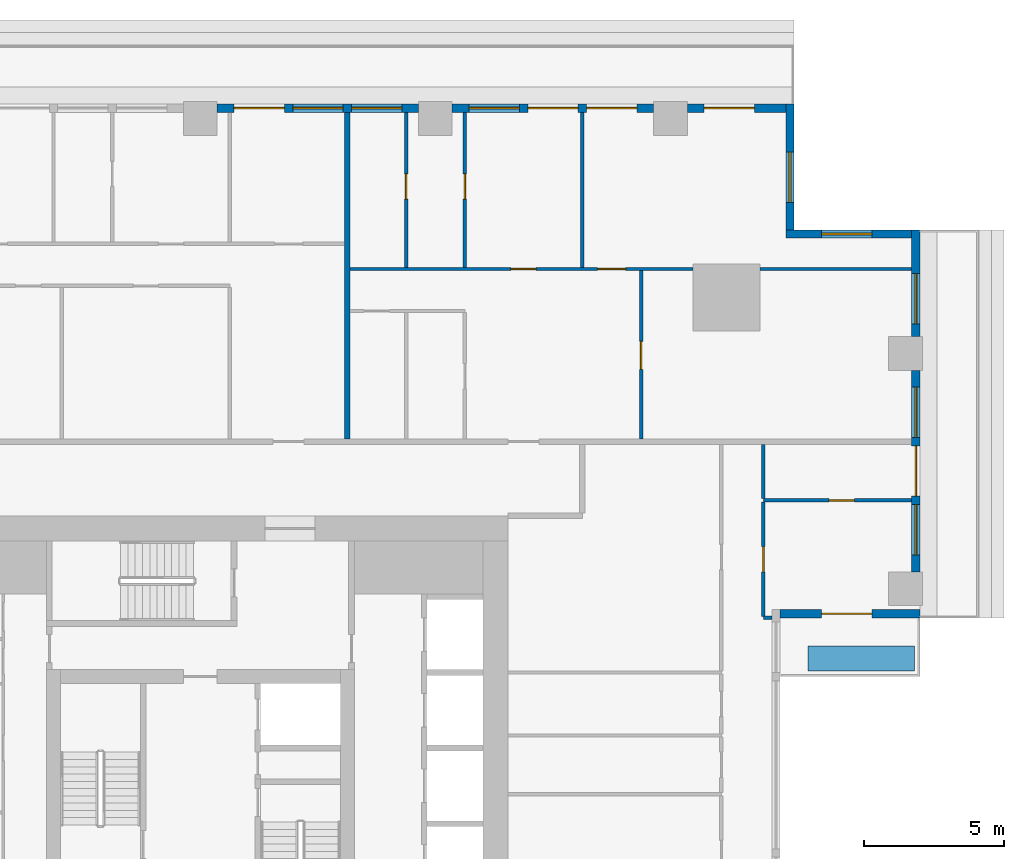
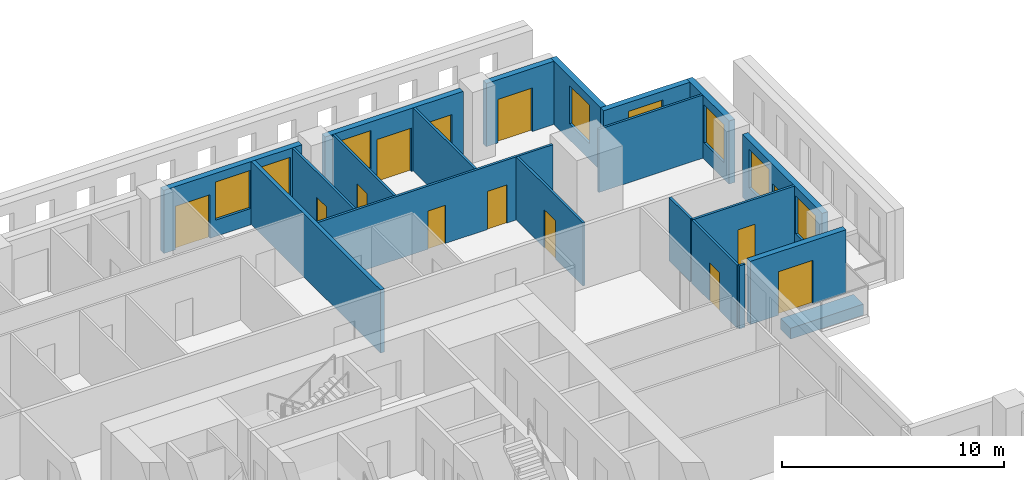
# One storey, part 9 of 16: 20 walls, 13 doors, 8 windows, 21 openings.
"""IFC4 building model written with IfcOpenShell, lengths in metres."""

from ifc_helpers import new_model, si_unit, direction, frame, frame_2d, origin, place, context, subcontext, project, spatial, rectangle, extrude, material, layer, layer_set, type_object, element, fill, save


model = new_model("IFC4")

# Units and contexts
model_context = context("Model", 3, precision=1e-05, world=origin(), true_north=direction((0.0, 1.0)))
body_context = subcontext(model_context, "Body", "Model", "MODEL_VIEW")
ifc_project = project(units=[si_unit("LENGTHUNIT", "METRE"), si_unit("AREAUNIT", "SQUARE_METRE"), si_unit("VOLUMEUNIT", "CUBIC_METRE"), si_unit("PLANEANGLEUNIT", "RADIAN"), si_unit("MASSUNIT", "GRAM", prefix="KILO")], contexts=[model_context])

# Site, building, storey
site_placement = place(None, origin())
site = spatial("IfcSite", under=ifc_project, at=site_placement, CompositionType="ELEMENT")
building_placement = place(site_placement, origin())
building = spatial("IfcBuilding", under=site, at=building_placement, Name="Khepri Terraces", CompositionType="ELEMENT")
storey_placement = place(building_placement, frame((0.0, 0.0, 204.0)))
storey = spatial("IfcBuildingStorey", under=building, at=storey_placement, Name="L48", CompositionType="ELEMENT", Elevation=204.0)

# Wall
ifc_material_1 = material(Name="Fire-rated gypsum plasterboard partition, mineral wool")
ifc_layer_1 = layer(ifc_material_1, 0.199951171875, Name="Fire-rated gypsum plasterboard partition, mineral wool")
ifc_layer_set_1 = layer_set([ifc_layer_1], Name="Fire-rated gypsum plasterboard partition, mineral wool")
wall_type_1 = type_object("IfcWallType", Name="WL-CORR-200", PredefinedType="PARTITIONING", material=ifc_layer_set_1)
wall_1_placement = place(storey_placement, frame((5.25, 13.75, 0.0), z_axis=(0.0, 0.0, 1.0), x_axis=(0.0, 1.0, 0.0)))
element("IfcWall", 1, at=wall_1_placement, inside=storey, type_object=wall_type_1, Name="Partition P-083 L48", PredefinedType="PARTITIONING", context=body_context, shape_type="SweptSolid", body=[
    extrude(rectangle(XDim=11.669921875, YDim=0.199951171875, at=frame_2d((5.8349609375, 0.0))), origin(), (0.0, 0.0, 1.0), 3.47998046875),
])

# Wall, opening, door
ifc_material_2 = material(Name="Precast concrete C50/60 warm stone", Category="masonry")
ifc_layer_2 = layer(ifc_material_2, 0.300048828125, Name="Precast concrete C50/60 warm stone", Category="masonry")
ifc_layer_set_2 = layer_set([ifc_layer_2], Name="Precast concrete C50/60 warm stone")
wall_type_2 = type_object("IfcWallType", Name="WL-EXT-PRECAST-300", PredefinedType="STANDARD", material=ifc_layer_set_2)
wall_2_placement = place(storey_placement, frame((20.719970703125, 7.5, 0.0), z_axis=(0.0, 0.0, 1.0), x_axis=(1.0, 0.0, 0.0)))
wall_2 = element("IfcWall", 2, at=wall_2_placement, inside=storey, type_object=wall_type_2, Name="External wall L48 S", PredefinedType="STANDARD", context=body_context, shape_type="SweptSolid", body=[
    extrude(rectangle(XDim=5.0, YDim=0.300048828125, at=frame_2d((2.5, 0.0))), origin(), (0.0, 0.0, 1.0), 3.47998046875),
])
opening_1_placement = place(wall_2_placement, frame((1.47998046875, 0.0, 0.0)))
opening_1 = element("IfcOpeningElement", 3, at=opening_1_placement, cuts=wall_2, Name="Opening ED-L48-05", PredefinedType="OPENING", context=body_context, shape_type="SweptSolid", body=[
    extrude(rectangle(XDim=1.800048828125, YDim=2.39990234375, at=frame_2d((0.89990234375, 1.199951171875))), frame((0.0, 0.16015625, 0.0), z_axis=(0.0, -1.0, 0.0), x_axis=(1.0, 0.0, 0.0)), (0.0, 0.0, 1.0), 0.320068359375),
])
ifc_material_3 = material(Name="Anodised aluminium bronze glazed door", Category="aluminium")
door_type_1 = type_object("IfcDoorType", Name="DR-BAL-SLIDE-1800x2400", OperationType="NOTDEFINED", PredefinedType="DOOR", material=ifc_material_3)
door_1_placement = place(opening_1_placement, origin())
door_1 = element("IfcDoor", 4, at=door_1_placement, inside=storey, type_object=door_type_1, Name="Balcony door L48 S", OperationType="SLIDING_TO_RIGHT", OverallHeight=2.39990234375, OverallWidth=1.800048828125, PredefinedType="DOOR", context=body_context, shape_type="SweptSolid", body=[
    extrude(rectangle(XDim=1.800048828125, YDim=2.39990234375, at=frame_2d((0.89990234375, 1.199951171875))), frame((0.0, 0.02490234375, 0.0), z_axis=(0.0, -1.0, 0.0), x_axis=(1.0, 0.0, 0.0)), (0.0, 0.0, 1.0), 0.050048828125),
])
fill(opening_1, door_1)

# Wall, openings, door, windows
wall_3_placement = place(storey_placement, frame((25.570068359375, 9.0, 0.0), z_axis=(0.0, 0.0, 1.0), x_axis=(0.0, 1.0, 0.0)))
wall_3 = element("IfcWall", 5, at=wall_3_placement, inside=storey, type_object=wall_type_2, Name="External wall L48 E", PredefinedType="STANDARD", context=body_context, shape_type="SweptSolid", body=[
    extrude(rectangle(XDim=7.199951171875, YDim=0.300048828125, at=frame_2d((3.60009765625, 0.0))), origin(), (0.0, 0.0, 1.0), 3.47998046875),
])
opening_2_placement = place(wall_3_placement, frame((0.60009765625, 0.0, 0.89990234375)))
opening_2 = element("IfcOpeningElement", 6, at=opening_2_placement, cuts=wall_3, Name="Opening W1", PredefinedType="OPENING", context=body_context, shape_type="SweptSolid", body=[
    extrude(rectangle(XDim=1.800048828125, YDim=2.10009765625, at=frame_2d((0.89990234375, 1.050048828125))), frame((0.0, 0.16015625, 0.0), z_axis=(0.0, -1.0, 0.0), x_axis=(1.0, 0.0, 0.0)), (0.0, 0.0, 1.0), 0.320068359375),
])
opening_3_placement = place(wall_3_placement, frame((2.699951171875, 0.0, 0.0)))
opening_3 = element("IfcOpeningElement", 7, at=opening_3_placement, cuts=wall_3, Name="Opening ED-L48-06", PredefinedType="OPENING", context=body_context, shape_type="SweptSolid", body=[
    extrude(rectangle(XDim=1.800048828125, YDim=2.39990234375, at=frame_2d((0.89990234375, 1.199951171875))), frame((0.0, 0.16015625, 0.0), z_axis=(0.0, -1.0, 0.0), x_axis=(1.0, 0.0, 0.0)), (0.0, 0.0, 1.0), 0.320068359375),
])
opening_4_placement = place(wall_3_placement, frame((4.800048828125, 0.0, 0.89990234375)))
opening_4 = element("IfcOpeningElement", 8, at=opening_4_placement, cuts=wall_3, Name="Opening W1", PredefinedType="OPENING", context=body_context, shape_type="SweptSolid", body=[
    extrude(rectangle(XDim=1.800048828125, YDim=2.10009765625, at=frame_2d((0.89990234375, 1.050048828125))), frame((0.0, 0.16015625, 0.0), z_axis=(0.0, -1.0, 0.0), x_axis=(1.0, 0.0, 0.0)), (0.0, 0.0, 1.0), 0.320068359375),
])
door_2_placement = place(opening_3_placement, origin())
door_2 = element("IfcDoor", 9, at=door_2_placement, inside=storey, type_object=door_type_1, Name="Balcony door L48 E", OperationType="SLIDING_TO_RIGHT", OverallHeight=2.39990234375, OverallWidth=1.800048828125, PredefinedType="DOOR", context=body_context, shape_type="SweptSolid", body=[
    extrude(rectangle(XDim=1.800048828125, YDim=2.39990234375, at=frame_2d((0.89990234375, 1.199951171875))), frame((0.0, 0.02490234375, 0.0), z_axis=(0.0, -1.0, 0.0), x_axis=(1.0, 0.0, 0.0)), (0.0, 0.0, 1.0), 0.050048828125),
])
fill(opening_3, door_2)
ifc_material_4 = material(Name="Clear glass", Category="glass")
window_type = type_object("IfcWindowType", Name="WIN-RES-1800x2100", PartitioningType="SINGLE_PANEL", PredefinedType="WINDOW", material=ifc_material_4)
window_1_placement = place(opening_2_placement, origin())
window_1 = element("IfcWindow", 10, at=window_1_placement, inside=storey, type_object=window_type, Name="Window L48 E", OverallHeight=2.10009765625, OverallWidth=1.800048828125, PartitioningType="SINGLE_PANEL", PredefinedType="WINDOW", context=body_context, shape_type="SweptSolid", body=[
    extrude(rectangle(XDim=1.800048828125, YDim=2.10009765625, at=frame_2d((0.89990234375, 1.050048828125))), frame((0.0, 0.030029296875, 0.0), z_axis=(0.0, -1.0, 0.0), x_axis=(1.0, 0.0, 0.0)), (0.0, 0.0, 1.0), 0.06005859375),
])
fill(opening_2, window_1)
window_2_placement = place(opening_4_placement, origin())
window_2 = element("IfcWindow", 11, at=window_2_placement, inside=storey, type_object=window_type, Name="Window L48 E", OverallHeight=2.10009765625, OverallWidth=1.800048828125, PartitioningType="SINGLE_PANEL", PredefinedType="WINDOW", context=body_context, shape_type="SweptSolid", body=[
    extrude(rectangle(XDim=1.800048828125, YDim=2.10009765625, at=frame_2d((0.89990234375, 1.050048828125))), frame((0.0, 0.030029296875, 0.0), z_axis=(0.0, -1.0, 0.0), x_axis=(1.0, 0.0, 0.0)), (0.0, 0.0, 1.0), 0.06005859375),
])
fill(opening_4, window_2)

# Wall, opening, window
wall_4_placement = place(storey_placement, frame((25.570068359375, 17.39990234375, 0.0), z_axis=(0.0, 0.0, 1.0), x_axis=(0.0, 1.0, 0.0)))
wall_4 = element("IfcWall", 12, at=wall_4_placement, inside=storey, type_object=wall_type_2, Name="External wall L48 E", PredefinedType="STANDARD", context=body_context, shape_type="SweptSolid", body=[
    extrude(rectangle(XDim=3.820068359375, YDim=0.300048828125, at=frame_2d((1.91015625, 0.0))), origin(), (0.0, 0.0, 1.0), 3.47998046875),
])
opening_5_placement = place(wall_4_placement, frame((0.4599609375, 0.0, 0.89990234375)))
opening_5 = element("IfcOpeningElement", 13, at=opening_5_placement, cuts=wall_4, Name="Opening W1", PredefinedType="OPENING", context=body_context, shape_type="SweptSolid", body=[
    extrude(rectangle(XDim=1.800048828125, YDim=2.10009765625, at=frame_2d((0.89990234375, 1.050048828125))), frame((0.0, 0.16015625, 0.0), z_axis=(0.0, -1.0, 0.0), x_axis=(1.0, 0.0, 0.0)), (0.0, 0.0, 1.0), 0.320068359375),
])
window_3_placement = place(opening_5_placement, origin())
window_3 = element("IfcWindow", 14, at=window_3_placement, inside=storey, type_object=window_type, Name="Window L48 E", OverallHeight=2.10009765625, OverallWidth=1.800048828125, PartitioningType="SINGLE_PANEL", PredefinedType="WINDOW", context=body_context, shape_type="SweptSolid", body=[
    extrude(rectangle(XDim=1.800048828125, YDim=2.10009765625, at=frame_2d((0.89990234375, 1.050048828125))), frame((0.0, 0.030029296875, 0.0), z_axis=(0.0, -1.0, 0.0), x_axis=(1.0, 0.0, 0.0)), (0.0, 0.0, 1.0), 0.06005859375),
])
fill(opening_5, window_3)

wall_5_placement = place(storey_placement, frame((25.419921875, 21.070068359375, 0.0), z_axis=(0.0, 0.0, 1.0), x_axis=(-1.0, 0.0, 0.0)))
wall_5 = element("IfcWall", 15, at=wall_5_placement, inside=storey, type_object=wall_type_2, Name="External wall L48 N", PredefinedType="STANDARD", context=body_context, shape_type="SweptSolid", body=[
    extrude(rectangle(XDim=4.5, YDim=0.300048828125, at=frame_2d((2.25, 0.0))), origin(), (0.0, 0.0, 1.0), 3.47998046875),
])
opening_6_placement = place(wall_5_placement, frame((1.419921875, 0.0, 0.89990234375)))
opening_6 = element("IfcOpeningElement", 16, at=opening_6_placement, cuts=wall_5, Name="Opening W1", PredefinedType="OPENING", context=body_context, shape_type="SweptSolid", body=[
    extrude(rectangle(XDim=1.800048828125, YDim=2.10009765625, at=frame_2d((0.89990234375, 1.050048828125))), frame((0.0, 0.16015625, 0.0), z_axis=(0.0, -1.0, 0.0), x_axis=(1.0, 0.0, 0.0)), (0.0, 0.0, 1.0), 0.320068359375),
])
window_4_placement = place(opening_6_placement, origin())
window_4 = element("IfcWindow", 17, at=window_4_placement, inside=storey, type_object=window_type, Name="Window L48 N", OverallHeight=2.10009765625, OverallWidth=1.800048828125, PartitioningType="SINGLE_PANEL", PredefinedType="WINDOW", context=body_context, shape_type="SweptSolid", body=[
    extrude(rectangle(XDim=1.800048828125, YDim=2.10009765625, at=frame_2d((0.89990234375, 1.050048828125))), frame((0.0, 0.030029296875, 0.0), z_axis=(0.0, -1.0, 0.0), x_axis=(1.0, 0.0, 0.0)), (0.0, 0.0, 1.0), 0.06005859375),
])
fill(opening_6, window_4)

wall_6_placement = place(storey_placement, frame((21.070068359375, 21.219970703125, 0.0), z_axis=(0.0, 0.0, 1.0), x_axis=(0.0, 1.0, 0.0)))
wall_6 = element("IfcWall", 18, at=wall_6_placement, inside=storey, type_object=wall_type_2, Name="External wall L48 E", PredefinedType="STANDARD", context=body_context, shape_type="SweptSolid", body=[
    extrude(rectangle(XDim=4.5, YDim=0.300048828125, at=frame_2d((2.25, 0.0))), origin(), (0.0, 0.0, 1.0), 3.47998046875),
])
opening_7_placement = place(wall_6_placement, frame((0.97998046875, 0.0, 0.89990234375)))
opening_7 = element("IfcOpeningElement", 19, at=opening_7_placement, cuts=wall_6, Name="Opening W1", PredefinedType="OPENING", context=body_context, shape_type="SweptSolid", body=[
    extrude(rectangle(XDim=1.800048828125, YDim=2.10009765625, at=frame_2d((0.89990234375, 1.050048828125))), frame((0.0, 0.16015625, 0.0), z_axis=(0.0, -1.0, 0.0), x_axis=(1.0, 0.0, 0.0)), (0.0, 0.0, 1.0), 0.320068359375),
])
window_5_placement = place(opening_7_placement, origin())
window_5 = element("IfcWindow", 20, at=window_5_placement, inside=storey, type_object=window_type, Name="Window L48 E", OverallHeight=2.10009765625, OverallWidth=1.800048828125, PartitioningType="SINGLE_PANEL", PredefinedType="WINDOW", context=body_context, shape_type="SweptSolid", body=[
    extrude(rectangle(XDim=1.800048828125, YDim=2.10009765625, at=frame_2d((0.89990234375, 1.050048828125))), frame((0.0, 0.030029296875, 0.0), z_axis=(0.0, -1.0, 0.0), x_axis=(1.0, 0.0, 0.0)), (0.0, 0.0, 1.0), 0.06005859375),
])
fill(opening_7, window_5)

# Wall, opening, door
wall_7_placement = place(storey_placement, frame((20.919921875, 25.570068359375, 0.0), z_axis=(0.0, 0.0, 1.0), x_axis=(-1.0, 0.0, 0.0)))
wall_7 = element("IfcWall", 21, at=wall_7_placement, inside=storey, type_object=wall_type_2, Name="External wall L48 N", PredefinedType="STANDARD", context=body_context, shape_type="SweptSolid", body=[
    extrude(rectangle(XDim=3.52001953125, YDim=0.300048828125, at=frame_2d((1.760009765625, 0.0))), origin(), (0.0, 0.0, 1.0), 3.47998046875),
])
opening_8_placement = place(wall_7_placement, frame((1.1201171875, 0.0, 0.0)))
opening_8 = element("IfcOpeningElement", 22, at=opening_8_placement, cuts=wall_7, Name="Opening ED-L48-07", PredefinedType="OPENING", context=body_context, shape_type="SweptSolid", body=[
    extrude(rectangle(XDim=1.800048828125, YDim=2.39990234375, at=frame_2d((0.89990234375, 1.199951171875))), frame((0.0, 0.16015625, 0.0), z_axis=(0.0, -1.0, 0.0), x_axis=(1.0, 0.0, 0.0)), (0.0, 0.0, 1.0), 0.320068359375),
])
door_3_placement = place(opening_8_placement, origin())
door_3 = element("IfcDoor", 23, at=door_3_placement, inside=storey, type_object=door_type_1, Name="Balcony door L48 N", OperationType="SLIDING_TO_RIGHT", OverallHeight=2.39990234375, OverallWidth=1.800048828125, PredefinedType="DOOR", context=body_context, shape_type="SweptSolid", body=[
    extrude(rectangle(XDim=1.800048828125, YDim=2.39990234375, at=frame_2d((0.89990234375, 1.199951171875))), frame((0.0, 0.02490234375, 0.0), z_axis=(0.0, -1.0, 0.0), x_axis=(1.0, 0.0, 0.0)), (0.0, 0.0, 1.0), 0.050048828125),
])
fill(opening_8, door_3)

# Wall, openings, doors, window
wall_8_placement = place(storey_placement, frame((16.199951171875, 25.570068359375, 0.0), z_axis=(0.0, 0.0, 1.0), x_axis=(-1.0, 0.0, 0.0)))
wall_8 = element("IfcWall", 24, at=wall_8_placement, inside=storey, type_object=wall_type_2, Name="External wall L48 N", PredefinedType="STANDARD", context=body_context, shape_type="SweptSolid", body=[
    extrude(rectangle(XDim=7.199951171875, YDim=0.300048828125, at=frame_2d((3.60009765625, 0.0))), origin(), (0.0, 0.0, 1.0), 3.47998046875),
])
opening_9_placement = place(wall_8_placement, frame((0.60009765625, 0.0, 0.0)))
opening_9 = element("IfcOpeningElement", 25, at=opening_9_placement, cuts=wall_8, Name="Opening ED-L48-08", PredefinedType="OPENING", context=body_context, shape_type="SweptSolid", body=[
    extrude(rectangle(XDim=1.800048828125, YDim=2.39990234375, at=frame_2d((0.89990234375, 1.199951171875))), frame((0.0, 0.16015625, 0.0), z_axis=(0.0, -1.0, 0.0), x_axis=(1.0, 0.0, 0.0)), (0.0, 0.0, 1.0), 0.320068359375),
])
opening_10_placement = place(wall_8_placement, frame((2.699951171875, 0.0, 0.0)))
opening_10 = element("IfcOpeningElement", 26, at=opening_10_placement, cuts=wall_8, Name="Opening ED-L48-09", PredefinedType="OPENING", context=body_context, shape_type="SweptSolid", body=[
    extrude(rectangle(XDim=1.800048828125, YDim=2.39990234375, at=frame_2d((0.89990234375, 1.199951171875))), frame((0.0, 0.16015625, 0.0), z_axis=(0.0, -1.0, 0.0), x_axis=(1.0, 0.0, 0.0)), (0.0, 0.0, 1.0), 0.320068359375),
])
opening_11_placement = place(wall_8_placement, frame((4.800048828125, 0.0, 0.89990234375)))
opening_11 = element("IfcOpeningElement", 27, at=opening_11_placement, cuts=wall_8, Name="Opening W1", PredefinedType="OPENING", context=body_context, shape_type="SweptSolid", body=[
    extrude(rectangle(XDim=1.800048828125, YDim=2.10009765625, at=frame_2d((0.89990234375, 1.050048828125))), frame((0.0, 0.16015625, 0.0), z_axis=(0.0, -1.0, 0.0), x_axis=(1.0, 0.0, 0.0)), (0.0, 0.0, 1.0), 0.320068359375),
])
door_4_placement = place(opening_9_placement, origin())
door_4 = element("IfcDoor", 28, at=door_4_placement, inside=storey, type_object=door_type_1, Name="Balcony door L48 N", OperationType="SLIDING_TO_LEFT", OverallHeight=2.39990234375, OverallWidth=1.800048828125, PredefinedType="DOOR", context=body_context, shape_type="SweptSolid", body=[
    extrude(rectangle(XDim=1.800048828125, YDim=2.39990234375, at=frame_2d((0.89990234375, 1.199951171875))), frame((0.0, 0.02490234375, 0.0), z_axis=(0.0, -1.0, 0.0), x_axis=(1.0, 0.0, 0.0)), (0.0, 0.0, 1.0), 0.050048828125),
])
fill(opening_9, door_4)
door_5_placement = place(opening_10_placement, origin())
door_5 = element("IfcDoor", 29, at=door_5_placement, inside=storey, type_object=door_type_1, Name="Balcony door L48 N", OperationType="SLIDING_TO_RIGHT", OverallHeight=2.39990234375, OverallWidth=1.800048828125, PredefinedType="DOOR", context=body_context, shape_type="SweptSolid", body=[
    extrude(rectangle(XDim=1.800048828125, YDim=2.39990234375, at=frame_2d((0.89990234375, 1.199951171875))), frame((0.0, 0.02490234375, 0.0), z_axis=(0.0, -1.0, 0.0), x_axis=(1.0, 0.0, 0.0)), (0.0, 0.0, 1.0), 0.050048828125),
])
fill(opening_10, door_5)
window_6_placement = place(opening_11_placement, origin())
window_6 = element("IfcWindow", 30, at=window_6_placement, inside=storey, type_object=window_type, Name="Window L48 N", OverallHeight=2.10009765625, OverallWidth=1.800048828125, PartitioningType="SINGLE_PANEL", PredefinedType="WINDOW", context=body_context, shape_type="SweptSolid", body=[
    extrude(rectangle(XDim=1.800048828125, YDim=2.10009765625, at=frame_2d((0.89990234375, 1.050048828125))), frame((0.0, 0.030029296875, 0.0), z_axis=(0.0, -1.0, 0.0), x_axis=(1.0, 0.0, 0.0)), (0.0, 0.0, 1.0), 0.06005859375),
])
fill(opening_11, window_6)

# Wall, openings, door, windows
wall_9_placement = place(storey_placement, frame((7.800048828125, 25.570068359375, 0.0), z_axis=(0.0, 0.0, 1.0), x_axis=(-1.0, 0.0, 0.0)))
wall_9 = element("IfcWall", 31, at=wall_9_placement, inside=storey, type_object=wall_type_2, Name="External wall L48 N", PredefinedType="STANDARD", context=body_context, shape_type="SweptSolid", body=[
    extrude(rectangle(XDim=7.199951171875, YDim=0.300048828125, at=frame_2d((3.60009765625, 0.0))), origin(), (0.0, 0.0, 1.0), 3.47998046875),
])
opening_12_placement = place(wall_9_placement, frame((0.60009765625, 0.0, 0.89990234375)))
opening_12 = element("IfcOpeningElement", 32, at=opening_12_placement, cuts=wall_9, Name="Opening W1", PredefinedType="OPENING", context=body_context, shape_type="SweptSolid", body=[
    extrude(rectangle(XDim=1.800048828125, YDim=2.10009765625, at=frame_2d((0.89990234375, 1.050048828125))), frame((0.0, 0.16015625, 0.0), z_axis=(0.0, -1.0, 0.0), x_axis=(1.0, 0.0, 0.0)), (0.0, 0.0, 1.0), 0.320068359375),
])
opening_13_placement = place(wall_9_placement, frame((2.699951171875, 0.0, 0.89990234375)))
opening_13 = element("IfcOpeningElement", 33, at=opening_13_placement, cuts=wall_9, Name="Opening W1", PredefinedType="OPENING", context=body_context, shape_type="SweptSolid", body=[
    extrude(rectangle(XDim=1.800048828125, YDim=2.10009765625, at=frame_2d((0.89990234375, 1.050048828125))), frame((0.0, 0.16015625, 0.0), z_axis=(0.0, -1.0, 0.0), x_axis=(1.0, 0.0, 0.0)), (0.0, 0.0, 1.0), 0.320068359375),
])
opening_14_placement = place(wall_9_placement, frame((4.800048828125, 0.0, 0.0)))
opening_14 = element("IfcOpeningElement", 34, at=opening_14_placement, cuts=wall_9, Name="Opening ED-L48-10", PredefinedType="OPENING", context=body_context, shape_type="SweptSolid", body=[
    extrude(rectangle(XDim=1.800048828125, YDim=2.39990234375, at=frame_2d((0.89990234375, 1.199951171875))), frame((0.0, 0.16015625, 0.0), z_axis=(0.0, -1.0, 0.0), x_axis=(1.0, 0.0, 0.0)), (0.0, 0.0, 1.0), 0.320068359375),
])
door_6_placement = place(opening_14_placement, origin())
door_6 = element("IfcDoor", 35, at=door_6_placement, inside=storey, type_object=door_type_1, Name="Balcony door L48 N", OperationType="SLIDING_TO_RIGHT", OverallHeight=2.39990234375, OverallWidth=1.800048828125, PredefinedType="DOOR", context=body_context, shape_type="SweptSolid", body=[
    extrude(rectangle(XDim=1.800048828125, YDim=2.39990234375, at=frame_2d((0.89990234375, 1.199951171875))), frame((0.0, 0.02490234375, 0.0), z_axis=(0.0, -1.0, 0.0), x_axis=(1.0, 0.0, 0.0)), (0.0, 0.0, 1.0), 0.050048828125),
])
fill(opening_14, door_6)
window_7_placement = place(opening_12_placement, origin())
window_7 = element("IfcWindow", 36, at=window_7_placement, inside=storey, type_object=window_type, Name="Window L48 N", OverallHeight=2.10009765625, OverallWidth=1.800048828125, PartitioningType="SINGLE_PANEL", PredefinedType="WINDOW", context=body_context, shape_type="SweptSolid", body=[
    extrude(rectangle(XDim=1.800048828125, YDim=2.10009765625, at=frame_2d((0.89990234375, 1.050048828125))), frame((0.0, 0.030029296875, 0.0), z_axis=(0.0, -1.0, 0.0), x_axis=(1.0, 0.0, 0.0)), (0.0, 0.0, 1.0), 0.06005859375),
])
fill(opening_12, window_7)
window_8_placement = place(opening_13_placement, origin())
window_8 = element("IfcWindow", 37, at=window_8_placement, inside=storey, type_object=window_type, Name="Window L48 N", OverallHeight=2.10009765625, OverallWidth=1.800048828125, PartitioningType="SINGLE_PANEL", PredefinedType="WINDOW", context=body_context, shape_type="SweptSolid", body=[
    extrude(rectangle(XDim=1.800048828125, YDim=2.10009765625, at=frame_2d((0.89990234375, 1.050048828125))), frame((0.0, 0.030029296875, 0.0), z_axis=(0.0, -1.0, 0.0), x_axis=(1.0, 0.0, 0.0)), (0.0, 0.0, 1.0), 0.06005859375),
])
fill(opening_13, window_8)

# Wall
ifc_material_5 = material(Name="Gypsum plasterboard partition")
ifc_layer_3 = layer(ifc_material_5, 0.1201171875, Name="Gypsum plasterboard partition")
ifc_layer_set_3 = layer_set([ifc_layer_3], Name="Gypsum plasterboard partition")
wall_type_3 = type_object("IfcWallType", Name="WL-PART-120", PredefinedType="PARTITIONING", material=ifc_layer_set_3)
wall_10_placement = place(storey_placement, frame((20.1201171875, 7.35009765625, 0.0), z_axis=(0.0, 0.0, 1.0), x_axis=(1.0, 0.0, 0.0)))
element("IfcWall", 38, at=wall_10_placement, inside=storey, type_object=wall_type_3, Name="Partition P-066 L48", PredefinedType="PARTITIONING", context=body_context, shape_type="SweptSolid", body=[
    extrude(rectangle(XDim=0.2998046875, YDim=0.1201171875, at=frame_2d((0.14990234375, 0.0))), origin(), (0.0, 0.0, 1.0), 3.47998046875),
])

# Wall, opening, door
wall_11_placement = place(storey_placement, frame((20.1201171875, 7.409912109375, 0.0), z_axis=(0.0, 0.0, 1.0), x_axis=(0.0, 1.0, 0.0)))
wall_11 = element("IfcWall", 39, at=wall_11_placement, inside=storey, type_object=wall_type_3, Name="Partition P-068 L48", PredefinedType="PARTITIONING", context=body_context, shape_type="SweptSolid", body=[
    extrude(rectangle(XDim=4.080078125, YDim=0.1201171875, at=frame_2d((2.0400390625, 0.0))), origin(), (0.0, 0.0, 1.0), 3.47998046875),
])
opening_15_placement = place(wall_11_placement, frame((1.590087890625, 0.0, 0.0)))
opening_15 = element("IfcOpeningElement", 40, at=opening_15_placement, cuts=wall_11, Name="Opening D3", PredefinedType="OPENING", context=body_context, shape_type="SweptSolid", body=[
    extrude(rectangle(XDim=0.89990234375, YDim=2.10009765625, at=frame_2d((0.449951171875, 1.050048828125))), frame((0.0, 0.070068359375, 0.0), z_axis=(0.0, -1.0, 0.0), x_axis=(1.0, 0.0, 0.0)), (0.0, 0.0, 1.0), 0.14013671875),
])
ifc_material_6 = material(Name="Timber door leaf", Category="wood")
door_type_2 = type_object("IfcDoorType", Name="DR-INT-900", OperationType="NOTDEFINED", PredefinedType="DOOR", material=ifc_material_6)
door_7_placement = place(opening_15_placement, frame((0.89990234375, 0.0, 0.0), z_axis=(0.0, 0.0, 1.0), x_axis=(-1.0, 0.0, 0.0)))
door_7 = element("IfcDoor", 41, at=door_7_placement, inside=storey, type_object=door_type_2, Name="Door Bedroom", OperationType="SINGLE_SWING_RIGHT", OverallHeight=2.10009765625, OverallWidth=0.89990234375, PredefinedType="DOOR", context=body_context, shape_type="SweptSolid", body=[
    extrude(rectangle(XDim=0.89990234375, YDim=2.10009765625, at=frame_2d((0.449951171875, 1.050048828125))), frame((0.0, 0.02490234375, 0.0), z_axis=(0.0, -1.0, 0.0), x_axis=(1.0, 0.0, 0.0)), (0.0, 0.0, 1.0), 0.050048828125),
])
fill(opening_15, door_7)

wall_12_placement = place(storey_placement, frame((20.1201171875, 11.550048828125, 0.0), z_axis=(0.0, 0.0, 1.0), x_axis=(1.0, 0.0, 0.0)))
wall_12 = element("IfcWall", 42, at=wall_12_placement, inside=storey, type_object=wall_type_3, Name="Partition P-072 L48", PredefinedType="PARTITIONING", context=body_context, shape_type="SweptSolid", body=[
    extrude(rectangle(XDim=5.2998046875, YDim=0.1201171875, at=frame_2d((2.64990234375, 0.0))), origin(), (0.0, 0.0, 1.0), 3.47998046875),
])
opening_16_placement = place(wall_12_placement, frame((2.35009765625, 0.0, 0.0)))
opening_16 = element("IfcOpeningElement", 43, at=opening_16_placement, cuts=wall_12, Name="Opening D4", PredefinedType="OPENING", context=body_context, shape_type="SweptSolid", body=[
    extrude(rectangle(XDim=0.89990234375, YDim=2.10009765625, at=frame_2d((0.449951171875, 1.050048828125))), frame((0.0, 0.070068359375, 0.0), z_axis=(0.0, -1.0, 0.0), x_axis=(1.0, 0.0, 0.0)), (0.0, 0.0, 1.0), 0.14013671875),
])
ifc_material_7 = material(Name="Timber door leaf, moisture resistant", Category="wood")
door_type_3 = type_object("IfcDoorType", Name="DR-WET-900", OperationType="NOTDEFINED", PredefinedType="DOOR", material=ifc_material_7)
door_8_placement = place(opening_16_placement, origin())
door_8 = element("IfcDoor", 44, at=door_8_placement, inside=storey, type_object=door_type_3, Name="Door Bathroom", OperationType="SINGLE_SWING_RIGHT", OverallHeight=2.10009765625, OverallWidth=0.89990234375, PredefinedType="DOOR", context=body_context, shape_type="SweptSolid", body=[
    extrude(rectangle(XDim=0.89990234375, YDim=2.10009765625, at=frame_2d((0.449951171875, 1.050048828125))), frame((0.0, 0.02490234375, 0.0), z_axis=(0.0, -1.0, 0.0), x_axis=(1.0, 0.0, 0.0)), (0.0, 0.0, 1.0), 0.050048828125),
])
fill(opening_16, door_8)

# Wall
wall_13_placement = place(storey_placement, frame((20.1201171875, 11.610107421875, 0.0), z_axis=(0.0, 0.0, 1.0), x_axis=(0.0, 1.0, 0.0)))
element("IfcWall", 45, at=wall_13_placement, inside=storey, type_object=wall_type_3, Name="Partition P-074 L48", PredefinedType="PARTITIONING", context=body_context, shape_type="SweptSolid", body=[
    extrude(rectangle(XDim=1.93994140625, YDim=0.1201171875, at=frame_2d((0.969970703125, 0.0))), origin(), (0.0, 0.0, 1.0), 3.47998046875),
])

# Wall, opening, door
wall_14_placement = place(storey_placement, frame((15.75, 13.75, 0.0), z_axis=(0.0, 0.0, 1.0), x_axis=(0.0, 1.0, 0.0)))
wall_14 = element("IfcWall", 46, at=wall_14_placement, inside=storey, type_object=wall_type_3, Name="Partition P-086 L48", PredefinedType="PARTITIONING", context=body_context, shape_type="SweptSolid", body=[
    extrude(rectangle(XDim=6.010009765625, YDim=0.1201171875, at=frame_2d((3.0048828125, 0.0))), origin(), (0.0, 0.0, 1.0), 3.47998046875),
])
opening_17_placement = place(wall_14_placement, frame((2.485107421875, 0.0, 0.0)))
opening_17 = element("IfcOpeningElement", 47, at=opening_17_placement, cuts=wall_14, Name="Opening D2", PredefinedType="OPENING", context=body_context, shape_type="SweptSolid", body=[
    extrude(rectangle(XDim=1.0, YDim=2.10009765625, at=frame_2d((0.5, 1.050048828125))), frame((0.0, 0.070068359375, 0.0), z_axis=(0.0, -1.0, 0.0), x_axis=(1.0, 0.0, 0.0)), (0.0, 0.0, 1.0), 0.14013671875),
])
ifc_material_8 = material(Name="Timber door leaf, living room door", Category="wood")
door_type_4 = type_object("IfcDoorType", Name="DR-INT-1000", OperationType="NOTDEFINED", PredefinedType="DOOR", material=ifc_material_8)
door_9_placement = place(opening_17_placement, frame((1.0, 0.0, 0.0), z_axis=(0.0, 0.0, 1.0), x_axis=(-1.0, 0.0, 0.0)))
door_9 = element("IfcDoor", 48, at=door_9_placement, inside=storey, type_object=door_type_4, Name="Door Family Room", OperationType="SINGLE_SWING_RIGHT", OverallHeight=2.10009765625, OverallWidth=1.0, PredefinedType="DOOR", context=body_context, shape_type="SweptSolid", body=[
    extrude(rectangle(XDim=1.0, YDim=2.10009765625, at=frame_2d((0.5, 1.050048828125))), frame((0.0, 0.02490234375, 0.0), z_axis=(0.0, -1.0, 0.0), x_axis=(1.0, 0.0, 0.0)), (0.0, 0.0, 1.0), 0.050048828125),
])
fill(opening_17, door_9)

# Wall, openings, doors
wall_15_placement = place(storey_placement, frame((5.35009765625, 19.820068359375, 0.0), z_axis=(0.0, 0.0, 1.0), x_axis=(1.0, 0.0, 0.0)))
wall_15 = element("IfcWall", 49, at=wall_15_placement, inside=storey, type_object=wall_type_3, Name="Partition P-089 L48", PredefinedType="PARTITIONING", context=body_context, shape_type="SweptSolid", body=[
    extrude(rectangle(XDim=12.25, YDim=0.1201171875, at=frame_2d((6.125, 0.0))), origin(), (0.0, 0.0, 1.0), 3.47998046875),
])
opening_18_placement = place(wall_15_placement, frame((8.85009765625, 0.0, 0.0)))
opening_18 = element("IfcOpeningElement", 50, at=opening_18_placement, cuts=wall_15, Name="Opening D2", PredefinedType="OPENING", context=body_context, shape_type="SweptSolid", body=[
    extrude(rectangle(XDim=1.0, YDim=2.10009765625, at=frame_2d((0.5, 1.050048828125))), frame((0.0, 0.070068359375, 0.0), z_axis=(0.0, -1.0, 0.0), x_axis=(1.0, 0.0, 0.0)), (0.0, 0.0, 1.0), 0.14013671875),
])
opening_19_placement = place(wall_15_placement, frame((5.75, 0.0, 0.0)))
opening_19 = element("IfcOpeningElement", 51, at=opening_19_placement, cuts=wall_15, Name="Opening D3", PredefinedType="OPENING", context=body_context, shape_type="SweptSolid", body=[
    extrude(rectangle(XDim=0.89990234375, YDim=2.10009765625, at=frame_2d((0.449951171875, 1.050048828125))), frame((0.0, 0.070068359375, 0.0), z_axis=(0.0, -1.0, 0.0), x_axis=(1.0, 0.0, 0.0)), (0.0, 0.0, 1.0), 0.14013671875),
])
door_10_placement = place(opening_18_placement, origin())
door_10 = element("IfcDoor", 52, at=door_10_placement, inside=storey, type_object=door_type_4, Name="Door Living Room", OperationType="SINGLE_SWING_RIGHT", OverallHeight=2.10009765625, OverallWidth=1.0, PredefinedType="DOOR", context=body_context, shape_type="SweptSolid", body=[
    extrude(rectangle(XDim=1.0, YDim=2.10009765625, at=frame_2d((0.5, 1.050048828125))), frame((0.0, 0.02490234375, 0.0), z_axis=(0.0, -1.0, 0.0), x_axis=(1.0, 0.0, 0.0)), (0.0, 0.0, 1.0), 0.050048828125),
])
fill(opening_18, door_10)
door_11_placement = place(opening_19_placement, origin())
door_11 = element("IfcDoor", 53, at=door_11_placement, inside=storey, type_object=door_type_2, Name="Door Master Bedroom", OperationType="SINGLE_SWING_RIGHT", OverallHeight=2.10009765625, OverallWidth=0.89990234375, PredefinedType="DOOR", context=body_context, shape_type="SweptSolid", body=[
    extrude(rectangle(XDim=0.89990234375, YDim=2.10009765625, at=frame_2d((0.449951171875, 1.050048828125))), frame((0.0, 0.02490234375, 0.0), z_axis=(0.0, -1.0, 0.0), x_axis=(1.0, 0.0, 0.0)), (0.0, 0.0, 1.0), 0.050048828125),
])
fill(opening_19, door_11)

# Wall
wall_16_placement = place(storey_placement, frame((20.0, 19.820068359375, 0.0), z_axis=(0.0, 0.0, 1.0), x_axis=(1.0, 0.0, 0.0)))
element("IfcWall", 54, at=wall_16_placement, inside=storey, type_object=wall_type_3, Name="Partition P-090 L48", PredefinedType="PARTITIONING", context=body_context, shape_type="SweptSolid", body=[
    extrude(rectangle(XDim=5.419921875, YDim=0.1201171875, at=frame_2d((2.7099609375, 0.0))), origin(), (0.0, 0.0, 1.0), 3.47998046875),
])

# Wall, opening, door
wall_17_placement = place(storey_placement, frame((7.35009765625, 19.8798828125, 0.0), z_axis=(0.0, 0.0, 1.0), x_axis=(0.0, 1.0, 0.0)))
wall_17 = element("IfcWall", 55, at=wall_17_placement, inside=storey, type_object=wall_type_3, Name="Partition P-091 L48", PredefinedType="PARTITIONING", context=body_context, shape_type="SweptSolid", body=[
    extrude(rectangle(XDim=5.5400390625, YDim=0.1201171875, at=frame_2d((2.77001953125, 0.0))), origin(), (0.0, 0.0, 1.0), 3.47998046875),
])
opening_20_placement = place(wall_17_placement, frame((2.43994140625, 0.0, 0.0)))
opening_20 = element("IfcOpeningElement", 56, at=opening_20_placement, cuts=wall_17, Name="Opening D4", PredefinedType="OPENING", context=body_context, shape_type="SweptSolid", body=[
    extrude(rectangle(XDim=0.89990234375, YDim=2.10009765625, at=frame_2d((0.449951171875, 1.050048828125))), frame((0.0, 0.070068359375, 0.0), z_axis=(0.0, -1.0, 0.0), x_axis=(1.0, 0.0, 0.0)), (0.0, 0.0, 1.0), 0.14013671875),
])
door_12_placement = place(opening_20_placement, origin())
door_12 = element("IfcDoor", 57, at=door_12_placement, inside=storey, type_object=door_type_3, Name="Door Bathroom", OperationType="SINGLE_SWING_RIGHT", OverallHeight=2.10009765625, OverallWidth=0.89990234375, PredefinedType="DOOR", context=body_context, shape_type="SweptSolid", body=[
    extrude(rectangle(XDim=0.89990234375, YDim=2.10009765625, at=frame_2d((0.449951171875, 1.050048828125))), frame((0.0, 0.02490234375, 0.0), z_axis=(0.0, -1.0, 0.0), x_axis=(1.0, 0.0, 0.0)), (0.0, 0.0, 1.0), 0.050048828125),
])
fill(opening_20, door_12)

wall_18_placement = place(storey_placement, frame((9.449951171875, 19.8798828125, 0.0), z_axis=(0.0, 0.0, 1.0), x_axis=(0.0, 1.0, 0.0)))
wall_18 = element("IfcWall", 58, at=wall_18_placement, inside=storey, type_object=wall_type_3, Name="Partition P-092 L48", PredefinedType="PARTITIONING", context=body_context, shape_type="SweptSolid", body=[
    extrude(rectangle(XDim=5.5400390625, YDim=0.1201171875, at=frame_2d((2.77001953125, 0.0))), origin(), (0.0, 0.0, 1.0), 3.47998046875),
])
opening_21_placement = place(wall_18_placement, frame((2.43994140625, 0.0, 0.0)))
opening_21 = element("IfcOpeningElement", 59, at=opening_21_placement, cuts=wall_18, Name="Opening D3", PredefinedType="OPENING", context=body_context, shape_type="SweptSolid", body=[
    extrude(rectangle(XDim=0.89990234375, YDim=2.10009765625, at=frame_2d((0.449951171875, 1.050048828125))), frame((0.0, 0.070068359375, 0.0), z_axis=(0.0, -1.0, 0.0), x_axis=(1.0, 0.0, 0.0)), (0.0, 0.0, 1.0), 0.14013671875),
])
door_13_placement = place(opening_21_placement, origin())
door_13 = element("IfcDoor", 60, at=door_13_placement, inside=storey, type_object=door_type_2, Name="Door Dressing Room", OperationType="SINGLE_SWING_RIGHT", OverallHeight=2.10009765625, OverallWidth=0.89990234375, PredefinedType="DOOR", context=body_context, shape_type="SweptSolid", body=[
    extrude(rectangle(XDim=0.89990234375, YDim=2.10009765625, at=frame_2d((0.449951171875, 1.050048828125))), frame((0.0, 0.02490234375, 0.0), z_axis=(0.0, -1.0, 0.0), x_axis=(1.0, 0.0, 0.0)), (0.0, 0.0, 1.0), 0.050048828125),
])
fill(opening_21, door_13)

# Walls
wall_19_placement = place(storey_placement, frame((13.64990234375, 19.8798828125, 0.0), z_axis=(0.0, 0.0, 1.0), x_axis=(0.0, 1.0, 0.0)))
element("IfcWall", 61, at=wall_19_placement, inside=storey, type_object=wall_type_3, Name="Partition P-093 L48", PredefinedType="PARTITIONING", context=body_context, shape_type="SweptSolid", body=[
    extrude(rectangle(XDim=5.5400390625, YDim=0.1201171875, at=frame_2d((2.77001953125, 0.0))), origin(), (0.0, 0.0, 1.0), 3.47998046875),
])
ifc_layer_4 = layer(ifc_material_2, 0.89990234375, Name="Precast concrete C50/60 warm stone", Category="masonry")
ifc_layer_set_4 = layer_set([ifc_layer_4], Name="Precast concrete C50/60 warm stone")
wall_type_4 = type_object("IfcWallType", Name="WL-PLANTER-900", PredefinedType="MOVABLE", material=ifc_layer_set_4)
wall_20_placement = place(storey_placement, frame((21.719970703125, 5.89990234375, 0.0), z_axis=(0.0, 0.0, 1.0), x_axis=(1.0, 0.0, 0.0)))
element("IfcWall", 62, at=wall_20_placement, inside=storey, type_object=wall_type_4, Name="Planter L48", PredefinedType="MOVABLE", context=body_context, shape_type="SweptSolid", body=[
    extrude(rectangle(XDim=3.800048828125, YDim=0.89990234375, at=frame_2d((1.89990234375, 0.0))), origin(), (0.0, 0.0, 1.0), 0.60009765625),
])

save(model, "model.ifc")
